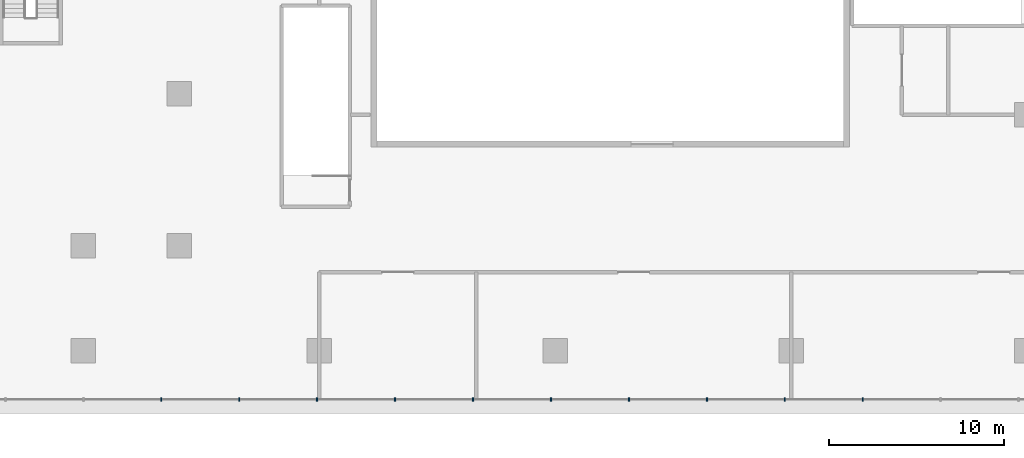
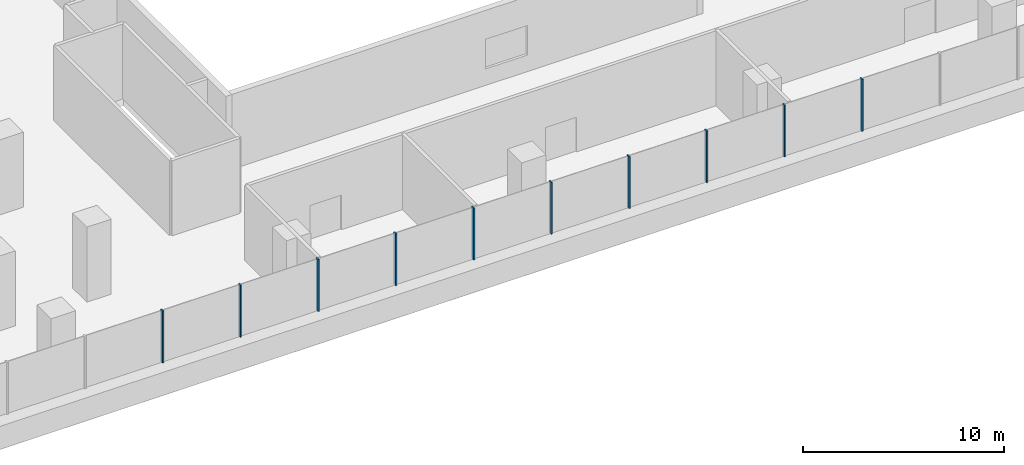
# One storey, part 9 of 38: 10 members, 1 element without a shape of its own.
"""IFC4 building model written with IfcOpenShell, lengths in metres."""

from ifc_helpers import new_model, si_unit, direction, frame, origin, origin_2d, place, context, subcontext, project, spatial, rectangle, extrude, material, layer, layer_set, material_profile, profile_set, type_object, element, aggregate, save


model = new_model("IFC4")

# Units and contexts
model_context = context("Model", 3, precision=1e-05, world=origin(), true_north=direction((0.0, 1.0)))
body_context = subcontext(model_context, "Body", "Model", "MODEL_VIEW")
ifc_project = project(units=[si_unit("LENGTHUNIT", "METRE"), si_unit("AREAUNIT", "SQUARE_METRE"), si_unit("VOLUMEUNIT", "CUBIC_METRE"), si_unit("PLANEANGLEUNIT", "RADIAN"), si_unit("MASSUNIT", "GRAM", prefix="KILO")], contexts=[model_context])

# Site, building, storey
site_placement = place(None, origin())
site = spatial("IfcSite", under=ifc_project, at=site_placement, CompositionType="ELEMENT")
building_placement = place(site_placement, origin())
building = spatial("IfcBuilding", under=site, at=building_placement, Name="Tamarind Cross Interchange Tower", CompositionType="ELEMENT")
storey_placement = place(building_placement, frame((0.0, 0.0, 20.0)))
storey = spatial("IfcBuildingStorey", under=building, at=storey_placement, Name="L03", CompositionType="ELEMENT", Elevation=20.0)

# Curtain wall, members
ifc_material = material(Name="Aluminium 6063-T6", Category="aluminium")
ifc_layer = layer(ifc_material, 0.199951171875)
ifc_layer_set = layer_set([ifc_layer], Name="Aluminium 6063-T6")
curtain_wall_type = type_object("IfcCurtainWallType", Name="Podium shopfront and station curtain wall", PredefinedType="NOTDEFINED", material=ifc_layer_set)
curtain_wall_placement = place(storey_placement, origin())
curtain_wall = element("IfcCurtainWall", 1, at=curtain_wall_placement, inside=storey, type_object=curtain_wall_type, Name="CWS-L03-06", PredefinedType="NOTDEFINED")
ifc_material_profile = material_profile(ifc_material, rectangle(XDim=0.080078125, YDim=0.199951171875, at=origin_2d()), Name="Mullion CW3")
ifc_profile_set = profile_set([ifc_material_profile], Name="Aluminium 6063-T6")
member_type = type_object("IfcMemberType", Name="Mullion CW3", PredefinedType="MULLION", material=ifc_profile_set)
member_1_placement = place(storey_placement, frame((4.46044921875, -56.800048828125, 1.39990234375), z_axis=(0.0, 0.0, 1.0), x_axis=(1.0, 0.0, 0.0)))
member_1 = element("IfcMember", 2, at=member_1_placement, type_object=member_type, Name="CWM-L03-06-14", PredefinedType="MULLION", context=body_context, shape_type="SweptSolid", body=[
    extrude(rectangle(XDim=0.080078125, YDim=0.199951171875, at=origin_2d()), origin(), (0.0, 0.0, 1.0), 3.150146484375),
])
member_2_placement = place(storey_placement, frame((8.920654296875, -56.800048828125, 1.39990234375), z_axis=(0.0, 0.0, 1.0), x_axis=(1.0, 0.0, 0.0)))
member_2 = element("IfcMember", 3, at=member_2_placement, type_object=member_type, Name="CWM-L03-06-15", PredefinedType="MULLION", context=body_context, shape_type="SweptSolid", body=[
    extrude(rectangle(XDim=0.080078125, YDim=0.199951171875, at=origin_2d()), origin(), (0.0, 0.0, 1.0), 3.150146484375),
])
member_3_placement = place(storey_placement, frame((13.381103515625, -56.800048828125, 1.39990234375), z_axis=(0.0, 0.0, 1.0), x_axis=(1.0, 0.0, 0.0)))
member_3 = element("IfcMember", 4, at=member_3_placement, type_object=member_type, Name="CWM-L03-06-16", PredefinedType="MULLION", context=body_context, shape_type="SweptSolid", body=[
    extrude(rectangle(XDim=0.080078125, YDim=0.199951171875, at=origin_2d()), origin(), (0.0, 0.0, 1.0), 3.150146484375),
])
member_4_placement = place(storey_placement, frame((17.84130859375, -56.800048828125, 1.39990234375), z_axis=(0.0, 0.0, 1.0), x_axis=(1.0, 0.0, 0.0)))
member_4 = element("IfcMember", 5, at=member_4_placement, type_object=member_type, Name="CWM-L03-06-17", PredefinedType="MULLION", context=body_context, shape_type="SweptSolid", body=[
    extrude(rectangle(XDim=0.080078125, YDim=0.199951171875, at=origin_2d()), origin(), (0.0, 0.0, 1.0), 3.150146484375),
])
member_5_placement = place(storey_placement, frame((22.3017578125, -56.800048828125, 1.39990234375), z_axis=(0.0, 0.0, 1.0), x_axis=(1.0, 0.0, 0.0)))
member_5 = element("IfcMember", 6, at=member_5_placement, type_object=member_type, Name="CWM-L03-06-18", PredefinedType="MULLION", context=body_context, shape_type="SweptSolid", body=[
    extrude(rectangle(XDim=0.080078125, YDim=0.199951171875, at=origin_2d()), origin(), (0.0, 0.0, 1.0), 3.150146484375),
])
member_6_placement = place(storey_placement, frame((26.761962890625, -56.800048828125, 1.39990234375), z_axis=(0.0, 0.0, 1.0), x_axis=(1.0, 0.0, 0.0)))
member_6 = element("IfcMember", 7, at=member_6_placement, type_object=member_type, Name="CWM-L03-06-19", PredefinedType="MULLION", context=body_context, shape_type="SweptSolid", body=[
    extrude(rectangle(XDim=0.080078125, YDim=0.199951171875, at=origin_2d()), origin(), (0.0, 0.0, 1.0), 3.150146484375),
])
member_7_placement = place(storey_placement, frame((31.222412109375, -56.800048828125, 1.39990234375), z_axis=(0.0, 0.0, 1.0), x_axis=(1.0, 0.0, 0.0)))
member_7 = element("IfcMember", 8, at=member_7_placement, type_object=member_type, Name="CWM-L03-06-20", PredefinedType="MULLION", context=body_context, shape_type="SweptSolid", body=[
    extrude(rectangle(XDim=0.080078125, YDim=0.199951171875, at=origin_2d()), origin(), (0.0, 0.0, 1.0), 3.150146484375),
])
member_8_placement = place(storey_placement, frame((35.6826171875, -56.800048828125, 1.39990234375), z_axis=(0.0, 0.0, 1.0), x_axis=(1.0, 0.0, 0.0)))
member_8 = element("IfcMember", 9, at=member_8_placement, type_object=member_type, Name="CWM-L03-06-21", PredefinedType="MULLION", context=body_context, shape_type="SweptSolid", body=[
    extrude(rectangle(XDim=0.080078125, YDim=0.199951171875, at=origin_2d()), origin(), (0.0, 0.0, 1.0), 3.150146484375),
])
member_9_placement = place(storey_placement, frame((40.14306640625, -56.800048828125, 1.39990234375), z_axis=(0.0, 0.0, 1.0), x_axis=(1.0, 0.0, 0.0)))
member_9 = element("IfcMember", 10, at=member_9_placement, type_object=member_type, Name="CWM-L03-06-22", PredefinedType="MULLION", context=body_context, shape_type="SweptSolid", body=[
    extrude(rectangle(XDim=0.080078125, YDim=0.199951171875, at=origin_2d()), origin(), (0.0, 0.0, 1.0), 3.150146484375),
])
member_10_placement = place(storey_placement, frame((44.603271484375, -56.800048828125, 1.39990234375), z_axis=(0.0, 0.0, 1.0), x_axis=(1.0, 0.0, 0.0)))
member_10 = element("IfcMember", 11, at=member_10_placement, type_object=member_type, Name="CWM-L03-06-23", PredefinedType="MULLION", context=body_context, shape_type="SweptSolid", body=[
    extrude(rectangle(XDim=0.080078125, YDim=0.199951171875, at=origin_2d()), origin(), (0.0, 0.0, 1.0), 3.150146484375),
])
aggregate(curtain_wall, [member_1, member_2, member_3, member_4, member_5, member_6, member_7, member_8, member_9, member_10])

save(model, "model.ifc")
